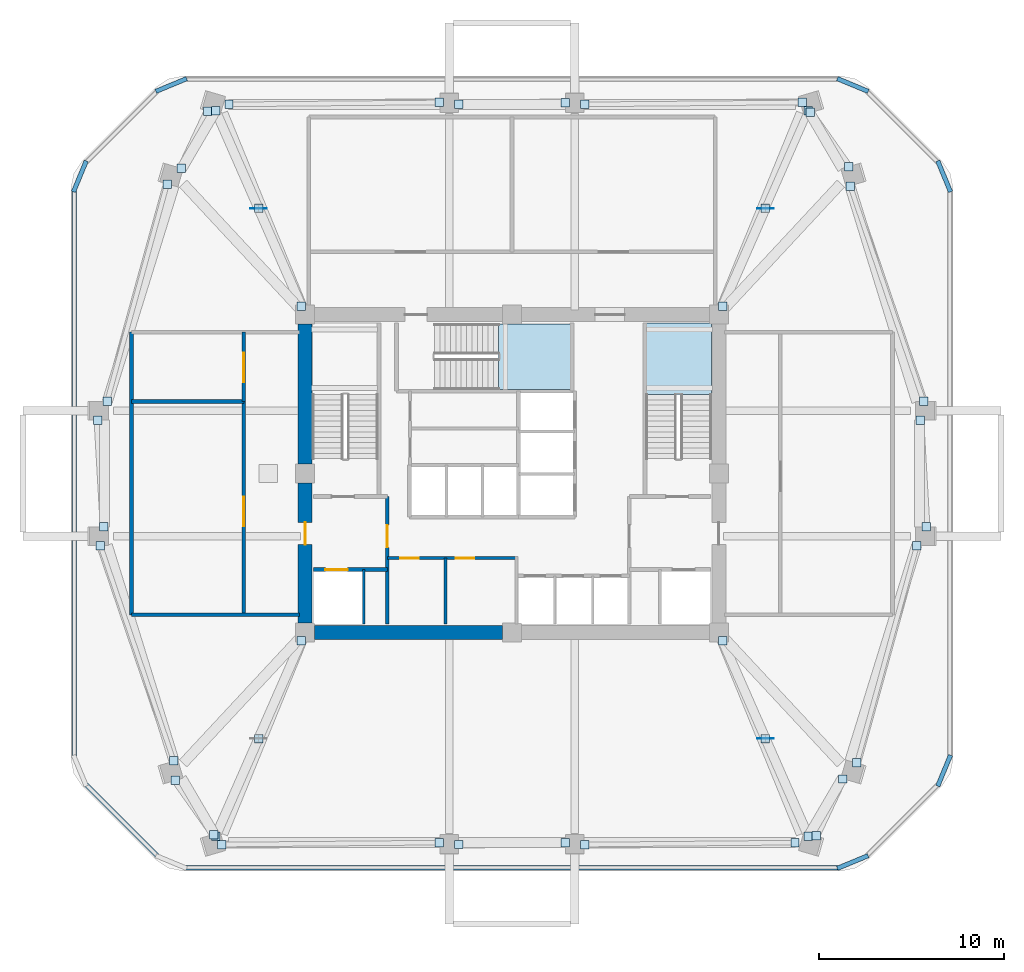
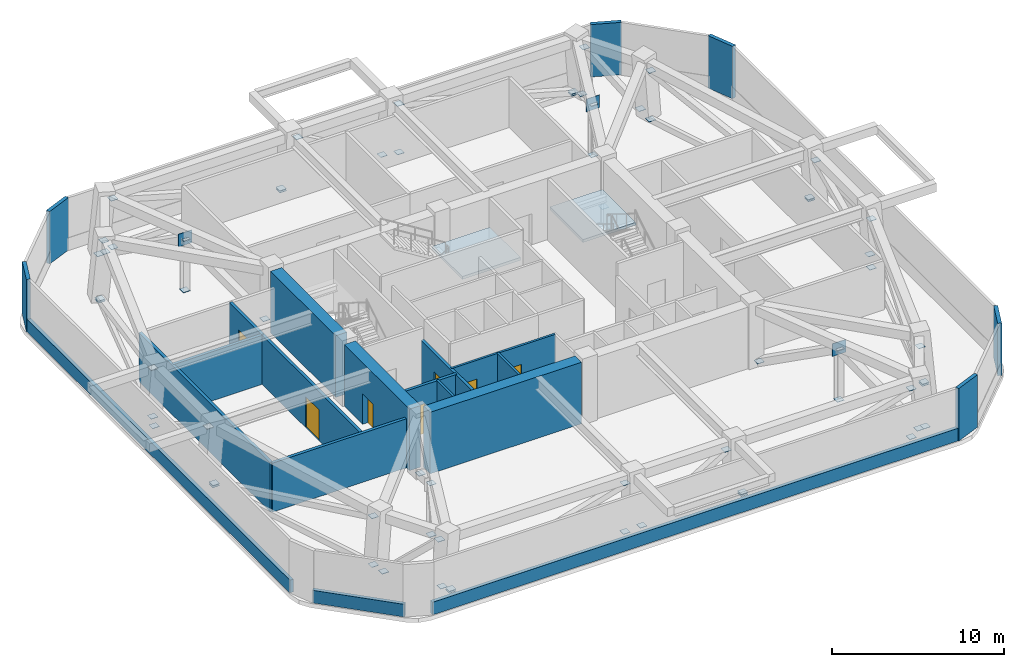
# One storey, part 3 of 8: 73 plates, 16 walls, 7 doors, 2 slabs, 7 openings, 2 elements without a shape of their own.
"""IFC4 building model written with IfcOpenShell, lengths in metres."""

from ifc_helpers import new_model, si_unit, derived_unit, direction, frame, frame_2d, origin, origin_2d, place, context, subcontext, project, spatial, polyline, rectangle, outline, extrude, material, layer, layer_set, type_object, element, fill, aggregate, save


model = new_model("IFC4")

# Units and contexts
model_context = context("Model", 3, precision=1e-05, world=origin(), true_north=direction((0.0, 1.0)))
body_context = subcontext(model_context, "Body", "Model", "MODEL_VIEW")
ifc_project = project(units=[si_unit("LENGTHUNIT", "METRE"), si_unit("AREAUNIT", "SQUARE_METRE"), si_unit("VOLUMEUNIT", "CUBIC_METRE"), si_unit("PLANEANGLEUNIT", "RADIAN"), si_unit("MASSUNIT", "GRAM", prefix="KILO"), derived_unit("THERMALTRANSMITTANCEUNIT", [(si_unit("POWERUNIT", "WATT"), 1), (si_unit("LENGTHUNIT", "METRE"), -2), (si_unit("THERMODYNAMICTEMPERATUREUNIT", "KELVIN"), -1)])], contexts=[model_context])

# Site, building, storey
site_placement = place(None, origin())
site = spatial("IfcSite", under=ifc_project, at=site_placement, CompositionType="ELEMENT")
building_placement = place(site_placement, origin())
building = spatial("IfcBuilding", under=site, at=building_placement, Name="Koralith Skygarden Medical Center", CompositionType="ELEMENT")
storey_placement = place(building_placement, frame((0.0, 0.0, 124.3798828125)))
storey = spatial("IfcBuildingStorey", under=building, at=storey_placement, Name="L32", CompositionType="ELEMENT", Elevation=124.3798828125)

# Stair, slab
ifc_material_1 = material(Name="Concrete C45/55", Category="concrete")
stair_type = type_object("IfcStairType", Name="Core Exit Dogleg Concrete Stair", PredefinedType="HALF_TURN_STAIR", material=ifc_material_1)
stair_1_placement = place(storey_placement, origin())
stair_1 = element("IfcStair", 1, at=stair_1_placement, inside=storey, type_object=stair_type, Name="L32 Smokeproof Exit Stair ST2", PredefinedType="HALF_TURN_STAIR")
ifc_layer_1 = layer(ifc_material_1, 0.199951171875)
ifc_layer_set_1 = layer_set([ifc_layer_1], Name="Concrete C45/55")
slab_type = type_object("IfcSlabType", Name="Core Exit Concrete Stair Landing 200", PredefinedType="LANDING", material=ifc_layer_set_1)
slab_1_placement = place(storey_placement, frame((0.0, 0.0, 2.14013671875)))
slab_1 = element("IfcSlab", 2, at=slab_1_placement, type_object=slab_type, Name="ST2 landing 1", PredefinedType="LANDING", context=body_context, shape_type="SweptSolid", body=[
    extrude(outline(polyline([(47.800048828125, 30.179931640625), (47.800048828125, 34.050048828125), (44.25, 34.050048828125), (44.25, 30.179931640625), (47.800048828125, 30.179931640625)])), origin(), (0.0, 0.0, 1.0), 0.199951171875),
])
aggregate(stair_1, [slab_1])

stair_2_placement = place(storey_placement, origin())
stair_2 = element("IfcStair", 3, at=stair_2_placement, inside=storey, type_object=stair_type, Name="L32 Smokeproof Exit Stair ST3", PredefinedType="HALF_TURN_STAIR")
slab_2_placement = place(storey_placement, frame((0.0, 0.0, 2.14013671875)))
slab_2 = element("IfcSlab", 4, at=slab_2_placement, type_object=slab_type, Name="ST3 landing 1", PredefinedType="LANDING", context=body_context, shape_type="SweptSolid", body=[
    extrude(outline(polyline([(36.280029296875, 30.449951171875), (40.199951171875, 30.449951171875), (40.199951171875, 34.0), (36.280029296875, 34.0), (36.280029296875, 30.449951171875)])), origin(), (0.0, 0.0, 1.0), 0.199951171875),
])
aggregate(stair_2, [slab_2])

# Plates
ifc_material_2 = material(Name="Steel ASTM A572 Grade 50", Category="steel")
ifc_layer_2 = layer(ifc_material_2, 0.02490234375)
ifc_layer_set_2 = layer_set([ifc_layer_2], Name="Steel ASTM A572 Grade 50")
plate_type_1 = type_object("IfcPlateType", Name="Hollow Section End Cap Plate 25", PredefinedType="SHEET", material=ifc_layer_set_2)
for number, where, z_axis, x_axis, name in (
    (5, (25.594970703125, 16.8330078125, 0.337646484375), (0.0, 0.0, 1.0), (1.0, 0.0, 0.0), "L32 Outrigger End Cap 01A"),
    (6, (23.277099609375, 11.552001953125, 3.667724609375), (0.0, 0.0, 1.0), (1.0, 0.0, 0.0), "L32 Outrigger Apex Cap 01M"),
    (7, (20.9599609375, 6.27197265625, 0.337646484375), (0.0, 0.0, 1.0), (1.0, 0.0, 0.0), "L32 Outrigger End Cap 01B"),
    (8, (23.277099609375, 11.552001953125, 0.007568359375), (0.0, 0.0, 1.0), (1.0, 0.0, 0.0), "L32 Outrigger Post Base Plate 01"),
    (9, (25.594970703125, 34.967041015625, 0.337646484375), (0.0, 0.0, 1.0), (1.0, 0.0, 0.0), "L32 Outrigger End Cap 02A"),
    (10, (23.277099609375, 40.248046875, 3.667724609375), (0.0, 0.0, 1.0), (1.0, 0.0, 0.0), "L32 Outrigger Apex Cap 02M"),
    (11, (20.9599609375, 45.528076171875, 0.337646484375), (0.0, 0.0, 1.0), (1.0, 0.0, 0.0), "L32 Outrigger End Cap 02B"),
    (12, (23.277099609375, 40.248046875, 0.007568359375), (0.0, 0.0, 1.0), (1.0, 0.0, 0.0), "L32 Outrigger Post Base Plate 02"),
    (13, (48.405029296875, 16.8330078125, 0.337646484375), (0.0, 0.0, 1.0), (1.0, 0.0, 0.0), "L32 Outrigger End Cap 03A"),
    (14, (50.721923828125, 11.552001953125, 3.667724609375), (0.0, 0.0, 1.0), (1.0, 0.0, 0.0), "L32 Outrigger Apex Cap 03M"),
    (15, (53.0400390625, 6.27197265625, 0.337646484375), (0.0, 0.0, 1.0), (1.0, 0.0, 0.0), "L32 Outrigger End Cap 03B"),
    (16, (50.721923828125, 11.552001953125, 0.007568359375), (0.0, 0.0, 1.0), (1.0, 0.0, 0.0), "L32 Outrigger Post Base Plate 03"),
    (17, (48.405029296875, 34.967041015625, 0.337646484375), (0.0, 0.0, 1.0), (1.0, 0.0, 0.0), "L32 Outrigger End Cap 04A"),
    (18, (50.721923828125, 40.248046875, 3.667724609375), (0.0, 0.0, 1.0), (1.0, 0.0, 0.0), "L32 Outrigger Apex Cap 04M"),
    (19, (53.0400390625, 45.528076171875, 0.337646484375), (0.0, 0.0, 1.0), (1.0, 0.0, 0.0), "L32 Outrigger End Cap 04B"),
    (20, (50.721923828125, 40.248046875, 0.007568359375), (0.0, 0.0, 1.0), (1.0, 0.0, 0.0), "L32 Outrigger Post Base Plate 04"),
    (21, (14.714111328125, 21.998046875, 0.337646484375), (0.0, 0.0, 1.0), (1.0, 0.0, 0.0), "L32 Belt Brace Cap 01A"),
    (22, (18.68505859375, 10.342041015625, 3.667724609375), (0.0, 0.0, 1.0), (1.0, 0.0, 0.0), "L32 Belt Brace Cap 01B"),
    (23, (14.714111328125, 21.998046875, 0.207763671875), (0.0, 0.0, 1.0), (1.0, 0.0, 0.0), "L32 Belt Chord Cap 01A"),
    (24, (18.68505859375, 10.342041015625, 0.207763671875), (0.0, 0.0, 1.0), (1.0, 0.0, 0.0), "L32 Belt Chord Cap 01B"),
    (25, (18.76904296875, 9.2919921875, 0.337646484375), (0.0, 0.0, 1.0), (1.0, 0.0, 0.0), "L32 Belt Brace Cap 02A"),
    (26, (20.842041015625, 6.35302734375, 3.667724609375), (0.0, 0.0, 1.0), (1.0, 0.0, 0.0), "L32 Belt Brace Cap 02B"),
    (27, (21.284912109375, 5.81005859375, 0.337646484375), (0.0, 0.0, 1.0), (1.0, 0.0, 0.0), "L32 Belt Brace Cap 03A"),
    (28, (33.070068359375, 5.9150390625, 3.667724609375), (0.0, 0.0, 1.0), (1.0, 0.0, 0.0), "L32 Belt Brace Cap 03B"),
    (29, (21.284912109375, 5.81005859375, 0.207763671875), (0.0, 0.0, 1.0), (1.0, 0.0, 0.0), "L32 Belt Chord Cap 03A"),
    (30, (33.070068359375, 5.9150390625, 0.207763671875), (0.0, 0.0, 1.0), (1.0, 0.0, 0.0), "L32 Belt Chord Cap 03B"),
    (31, (34.1298828125, 5.81396484375, 0.337646484375), (0.0, 0.0, 1.0), (1.0, 0.0, 0.0), "L32 Belt Brace Cap 04A"),
    (32, (39.8701171875, 5.910888671875, 3.667724609375), (0.0, 0.0, 1.0), (1.0, 0.0, 0.0), "L32 Belt Brace Cap 04B"),
    (33, (40.929931640625, 5.81005859375, 0.337646484375), (0.0, 0.0, 1.0), (1.0, 0.0, 0.0), "L32 Belt Brace Cap 05A"),
    (34, (52.322021484375, 5.9150390625, 3.667724609375), (0.0, 0.0, 1.0), (1.0, 0.0, 0.0), "L32 Belt Brace Cap 05B"),
    (35, (40.929931640625, 5.81005859375, 0.207763671875), (0.0, 0.0, 1.0), (1.0, 0.0, 0.0), "L32 Belt Chord Cap 05A"),
    (36, (52.322021484375, 5.9150390625, 0.207763671875), (0.0, 0.0, 1.0), (1.0, 0.0, 0.0), "L32 Belt Chord Cap 05B"),
    (37, (53.470947265625, 6.284912109375, 0.337646484375), (0.0, 0.0, 1.0), (1.0, 0.0, 0.0), "L32 Belt Brace Cap 06A"),
    (38, (54.91796875, 9.360107421875, 3.667724609375), (0.0, 0.0, 1.0), (1.0, 0.0, 0.0), "L32 Belt Brace Cap 06B"),
    (39, (55.677978515625, 10.236083984375, 0.337646484375), (0.0, 0.0, 1.0), (1.0, 0.0, 0.0), "L32 Belt Brace Cap 07A"),
    (40, (58.923095703125, 21.989013671875, 3.667724609375), (0.0, 0.0, 1.0), (1.0, 0.0, 0.0), "L32 Belt Brace Cap 07B"),
    (41, (55.677978515625, 10.236083984375, 0.207763671875), (0.0, 0.0, 1.0), (1.0, 0.0, 0.0), "L32 Belt Chord Cap 07A"),
    (42, (58.923095703125, 21.989013671875, 0.207763671875), (0.0, 0.0, 1.0), (1.0, 0.0, 0.0), "L32 Belt Chord Cap 07B"),
    (43, (59.426025390625, 23.029052734375, 0.337646484375), (0.0, 0.0, 1.0), (1.0, 0.0, 0.0), "L32 Belt Brace Cap 08A"),
    (44, (59.094970703125, 28.77099609375, 3.667724609375), (0.0, 0.0, 1.0), (1.0, 0.0, 0.0), "L32 Belt Brace Cap 08B"),
    (45, (59.285888671875, 29.802001953125, 0.337646484375), (0.0, 0.0, 1.0), (1.0, 0.0, 0.0), "L32 Belt Brace Cap 09A"),
    (46, (55.31494140625, 41.4580078125, 3.667724609375), (0.0, 0.0, 1.0), (1.0, 0.0, 0.0), "L32 Belt Brace Cap 09B"),
    (47, (59.285888671875, 29.802001953125, 0.207763671875), (0.0, 0.0, 1.0), (1.0, 0.0, 0.0), "L32 Belt Chord Cap 09A"),
    (48, (55.31494140625, 41.4580078125, 0.207763671875), (0.0, 0.0, 1.0), (1.0, 0.0, 0.0), "L32 Belt Chord Cap 09B"),
    (49, (55.23095703125, 42.508056640625, 0.337646484375), (0.0, 0.0, 1.0), (1.0, 0.0, 0.0), "L32 Belt Brace Cap 10A"),
    (50, (53.157958984375, 45.447021484375, 3.667724609375), (0.0, 0.0, 1.0), (1.0, 0.0, 0.0), "L32 Belt Brace Cap 10B"),
    (51, (52.715087890625, 45.989990234375, 0.337646484375), (0.0, 0.0, 1.0), (1.0, 0.0, 0.0), "L32 Belt Brace Cap 11A"),
    (52, (40.929931640625, 45.885009765625, 3.667724609375), (0.0, 0.0, 1.0), (1.0, 0.0, 0.0), "L32 Belt Brace Cap 11B"),
    (53, (52.715087890625, 45.989990234375, 0.207763671875), (0.0, 0.0, 1.0), (1.0, 0.0, 0.0), "L32 Belt Chord Cap 11A"),
    (54, (40.929931640625, 45.885009765625, 0.207763671875), (0.0, 0.0, 1.0), (1.0, 0.0, 0.0), "L32 Belt Chord Cap 11B"),
    (55, (39.8701171875, 45.986083984375, 0.337646484375), (0.0, 0.0, 1.0), (1.0, 0.0, 0.0), "L32 Belt Brace Cap 12A"),
    (56, (34.1298828125, 45.888916015625, 3.667724609375), (0.0, 0.0, 1.0), (1.0, 0.0, 0.0), "L32 Belt Brace Cap 12B"),
    (57, (33.070068359375, 45.989990234375, 0.337646484375), (0.0, 0.0, 1.0), (1.0, 0.0, 0.0), "L32 Belt Brace Cap 13A"),
    (58, (21.677978515625, 45.885009765625, 3.667724609375), (0.0, 0.0, 1.0), (1.0, 0.0, 0.0), "L32 Belt Brace Cap 13B"),
    (59, (33.070068359375, 45.989990234375, 0.207763671875), (0.0, 0.0, 1.0), (1.0, 0.0, 0.0), "L32 Belt Chord Cap 13A"),
    (60, (21.677978515625, 45.885009765625, 0.207763671875), (0.0, 0.0, 1.0), (1.0, 0.0, 0.0), "L32 Belt Chord Cap 13B"),
    (61, (20.529052734375, 45.514892578125, 0.337646484375), (0.0, 0.0, 1.0), (1.0, 0.0, 0.0), "L32 Belt Brace Cap 14A"),
    (62, (19.08203125, 42.43994140625, 3.667724609375), (0.0, 0.0, 1.0), (1.0, 0.0, 0.0), "L32 Belt Brace Cap 14B"),
    (63, (18.322021484375, 41.56396484375, 0.337646484375), (0.0, 0.0, 1.0), (1.0, 0.0, 0.0), "L32 Belt Brace Cap 15A"),
    (64, (15.076904296875, 29.81103515625, 3.667724609375), (0.0, 0.0, 1.0), (1.0, 0.0, 0.0), "L32 Belt Brace Cap 15B"),
    (65, (18.322021484375, 41.56396484375, 0.207763671875), (0.0, 0.0, 1.0), (1.0, 0.0, 0.0), "L32 Belt Chord Cap 15A"),
    (66, (15.076904296875, 29.81103515625, 0.207763671875), (0.0, 0.0, 1.0), (1.0, 0.0, 0.0), "L32 Belt Chord Cap 15B"),
    (67, (14.573974609375, 28.77099609375, 0.337646484375), (0.0, 0.0, 1.0), (1.0, 0.0, 0.0), "L32 Belt Brace Cap 16A"),
    (68, (14.905029296875, 23.029052734375, 3.667724609375), (0.0, 0.0, 1.0), (1.0, 0.0, 0.0), "L32 Belt Brace Cap 16B"),
):
    element("IfcPlate", number, at=place(storey_placement, frame(where, z_axis=z_axis, x_axis=x_axis)), inside=storey, type_object=plate_type_1, Name=name, PredefinedType="SHEET", context=body_context, shape_type="SweptSolid", body=[
        extrude(rectangle(XDim=0.4599609375, YDim=0.4599609375, at=origin_2d()), origin(), (0.0, 0.0, 1.0), 0.02490234375),
    ])
ifc_layer_3 = layer(ifc_material_2, 0.0400390625)
ifc_layer_set_3 = layer_set([ifc_layer_3], Name="Steel ASTM A572 Grade 50")
plate_type_2 = type_object("IfcPlateType", Name="Outrigger Truss Gusset Plate 40", PredefinedType="USERDEFINED", material=ifc_layer_set_3)
for number, where, z_axis, x_axis, name in (
    (69, (23.277099609375, 40.248046875, 3.230224609375), (0.0, 0.0, 1.0), (1.0, 0.0, 0.0), "L32 Outrigger Node Gusset Plate ORG-02"),
    (70, (50.721923828125, 11.552001953125, 3.230224609375), (0.0, 0.0, 1.0), (1.0, 0.0, 0.0), "L32 Outrigger Node Gusset Plate ORG-03"),
    (71, (50.721923828125, 40.248046875, 3.230224609375), (0.0, 0.0, 1.0), (1.0, 0.0, 0.0), "L32 Outrigger Node Gusset Plate ORG-04"),
):
    element("IfcPlate", number, at=place(storey_placement, frame(where, z_axis=z_axis, x_axis=x_axis)), inside=storey, type_object=plate_type_2, Name=name, ObjectType="GUSSET_PLATE", PredefinedType="USERDEFINED", context=body_context, shape_type="SweptSolid", body=[
        extrude(rectangle(XDim=0.89990234375, YDim=0.0400390625, at=origin_2d()), origin(), (0.0, 0.0, 1.0), 0.89990234375),
    ])
ifc_material_3 = material(Name="Warm Oolitic Limestone Cladding", Category="masonry")
ifc_layer_4 = layer(ifc_material_3, 0.239990234375)
ifc_layer_set_4 = layer_set([ifc_layer_4], Name="Warm Oolitic Limestone Cladding")
plate_type_3 = type_object("IfcPlateType", Name="Rounded-Corner Oolitic Limestone Cladding Panel 240", PredefinedType="USERDEFINED", material=ifc_layer_set_4)
for number, where, z_axis, x_axis, name in (
    (72, (55.447998046875, 4.865966796875, 0.000244140625), (0.0, 0.0, 1.0), (0.92388487569, 0.382670532536, 0.0), "L32 Rounded-Corner Limestone Pier 1"),
    (73, (60.39697265625, 9.81396484375, 0.000244140625), (0.0, 0.0, 1.0), (0.382670532536, 0.92388487569, 0.0), "L32 Rounded-Corner Limestone Pier 2"),
    (74, (60.39697265625, 41.986083984375, 0.000244140625), (0.0, 0.0, 1.0), (-0.382670532536, 0.92388487569, 0.0), "L32 Rounded-Corner Limestone Pier 3"),
    (75, (55.447998046875, 46.93408203125, 0.000244140625), (0.0, 0.0, 1.0), (-0.92388487569, 0.382670532536, 0.0), "L32 Rounded-Corner Limestone Pier 4"),
    (76, (18.552978515625, 46.93408203125, 0.000244140625), (0.0, 0.0, 1.0), (-0.92388487569, -0.382670532536, 0.0), "L32 Rounded-Corner Limestone Pier 5"),
    (77, (13.60400390625, 41.986083984375, 0.000244140625), (0.0, 0.0, 1.0), (-0.382670532536, -0.92388487569, 0.0), "L32 Rounded-Corner Limestone Pier 6"),
):
    element("IfcPlate", number, at=place(storey_placement, frame(where, z_axis=z_axis, x_axis=x_axis)), inside=storey, type_object=plate_type_3, Name=name, ObjectType="LIMESTONE CLADDING", PredefinedType="USERDEFINED", context=body_context, shape_type="SweptSolid", body=[
        extrude(rectangle(XDim=1.81103515625, YDim=0.239990234375, at=origin_2d()), origin(), (0.0, 0.0, 1.0), 3.72998046875),
    ])

# Wall, openings, doors
ifc_material_4 = material(Name="Gypsum Board Partition")
ifc_layer_5 = layer(ifc_material_4, 0.14990234375)
ifc_layer_set_5 = layer_set([ifc_layer_5], Name="Gypsum Board Partition")
wall_type_1 = type_object("IfcWallType", Name="Clinical Acoustic Partition 150", PredefinedType="PARTITIONING", material=ifc_layer_set_5)
wall_1_placement = place(storey_placement, frame((30.25, 21.320068359375, 0.0), z_axis=(0.0, 0.0, 1.0), x_axis=(1.0, 0.0, 0.0)))
wall_1 = element("IfcWall", 78, at=wall_1_placement, inside=storey, type_object=wall_type_1, Name="L32 Clinical Acoustic Partition 150 W-CORE-L32-FREED-LR-N", PredefinedType="PARTITIONING", context=body_context, shape_type="SweptSolid", body=[
    extrude(rectangle(XDim=7.0, YDim=0.14990234375, at=frame_2d((3.5, 0.0))), origin(), (0.0, 0.0, 1.0), 3.490234375),
])
opening_1_placement = place(wall_1_placement, frame((0.699951171875, 0.0, 0.0)))
opening_1 = element("IfcOpeningElement", 79, at=opening_1_placement, cuts=wall_1, Name="Opening D-SUP", PredefinedType="OPENING", context=body_context, shape_type="SweptSolid", body=[
    extrude(rectangle(XDim=1.0, YDim=2.14990234375, at=frame_2d((0.5, 1.074951171875))), frame((0.0, 0.0849609375, 0.0), z_axis=(0.0, -1.0, 0.0), x_axis=(1.0, 0.0, 0.0)), (0.0, 0.0, 1.0), 0.169921875),
])
opening_2_placement = place(wall_1_placement, frame((3.699951171875, 0.0, 0.0)))
opening_2 = element("IfcOpeningElement", 80, at=opening_2_placement, cuts=wall_1, Name="Opening D-SUP", PredefinedType="OPENING", context=body_context, shape_type="SweptSolid", body=[
    extrude(rectangle(XDim=1.0, YDim=2.14990234375, at=frame_2d((0.5, 1.074951171875))), frame((0.0, 0.0849609375, 0.0), z_axis=(0.0, -1.0, 0.0), x_axis=(1.0, 0.0, 0.0)), (0.0, 0.0, 1.0), 0.169921875),
])
ifc_material_5 = material(Name="Aluminium 6063-T6", Category="aluminium")
door_type_1 = type_object("IfcDoorType", Name="Clinical Support Door D-SUP 1000", OperationType="NOTDEFINED", PredefinedType="DOOR", material=ifc_material_5)
door_1_placement = place(opening_1_placement, frame((1.0, 0.0, 0.0), z_axis=(0.0, 0.0, 1.0), x_axis=(-1.0, 0.0, 0.0)))
door_1 = element("IfcDoor", 81, at=door_1_placement, inside=storey, type_object=door_type_1, Name="L32 Medication Preparation Door", OperationType="SINGLE_SWING_LEFT", OverallHeight=2.14990234375, OverallWidth=1.0, PredefinedType="DOOR", context=body_context, shape_type="SweptSolid", body=[
    extrude(rectangle(XDim=1.0, YDim=2.14990234375, at=frame_2d((0.5, 1.074951171875))), frame((0.0, 0.02490234375, 0.0), z_axis=(0.0, -1.0, 0.0), x_axis=(1.0, 0.0, 0.0)), (0.0, 0.0, 1.0), 0.050048828125),
])
fill(opening_1, door_1)
door_2_placement = place(opening_2_placement, frame((1.0, 0.0, 0.0), z_axis=(0.0, 0.0, 1.0), x_axis=(-1.0, 0.0, 0.0)))
door_2 = element("IfcDoor", 82, at=door_2_placement, inside=storey, type_object=door_type_1, Name="L32 Telemetry Room Door", OperationType="SINGLE_SWING_RIGHT", OverallHeight=2.14990234375, OverallWidth=1.0, PredefinedType="DOOR", context=body_context, shape_type="SweptSolid", body=[
    extrude(rectangle(XDim=1.0, YDim=2.14990234375, at=frame_2d((0.5, 1.074951171875))), frame((0.0, 0.02490234375, 0.0), z_axis=(0.0, -1.0, 0.0), x_axis=(1.0, 0.0, 0.0)), (0.0, 0.0, 1.0), 0.050048828125),
])
fill(opening_2, door_2)

# Wall
wall_2_placement = place(storey_placement, frame((33.39990234375, 17.75, 0.0), z_axis=(0.0, 0.0, 1.0), x_axis=(0.0, 1.0, 0.0)))
element("IfcWall", 83, at=wall_2_placement, inside=storey, type_object=wall_type_1, Name="L32 Clinical Acoustic Partition 150 W-CORE-L32-FREED-LR-M", PredefinedType="PARTITIONING", context=body_context, shape_type="SweptSolid", body=[
    extrude(rectangle(XDim=3.570068359375, YDim=0.14990234375, at=frame_2d((1.78515625, 0.0))), origin(), (0.0, 0.0, 1.0), 3.490234375),
])

# Wall, opening, door
ifc_layer_6 = layer(ifc_material_4, 0.199951171875)
ifc_layer_set_6 = layer_set([ifc_layer_6], Name="Gypsum Board Partition")
wall_type_2 = type_object("IfcWallType", Name="Fire Shaft Wall 200", PredefinedType="SOLIDWALL", material=ifc_layer_set_6)
wall_3_placement = place(storey_placement, frame((26.25, 20.699951171875, 0.0), z_axis=(0.0, 0.0, 1.0), x_axis=(1.0, 0.0, 0.0)))
wall_3 = element("IfcWall", 84, at=wall_3_placement, inside=storey, type_object=wall_type_2, Name="L32 Fire Shaft Wall 200 W-CORE-L32-FF1-N", PredefinedType="SOLIDWALL", context=body_context, shape_type="SweptSolid", body=[
    extrude(rectangle(XDim=4.0, YDim=0.199951171875, at=frame_2d((2.0, 0.0))), origin(), (0.0, 0.0, 1.0), 3.490234375),
])
opening_3_placement = place(wall_3_placement, frame((0.64990234375, 0.0, 0.0)))
opening_3 = element("IfcOpeningElement", 85, at=opening_3_placement, cuts=wall_3, Name="Opening LD-FF", PredefinedType="OPENING", context=body_context, shape_type="SweptSolid", body=[
    extrude(rectangle(XDim=1.199951171875, YDim=2.14990234375, at=frame_2d((0.60009765625, 1.074951171875))), frame((0.0, 0.10986328125, 0.0), z_axis=(0.0, -1.0, 0.0), x_axis=(1.0, 0.0, 0.0)), (0.0, 0.0, 1.0), 0.219970703125),
])
ifc_material_6 = material(Name="Steel ASTM A500 Grade C", Category="steel")
door_type_2 = type_object("IfcDoorType", Name="Fire Lift Sliding Landing Door LD-FF 1200", OperationType="NOTDEFINED", PredefinedType="DOOR", material=ifc_material_6)
door_3_placement = place(opening_3_placement, origin())
door_3 = element("IfcDoor", 86, at=door_3_placement, inside=storey, type_object=door_type_2, Name="L32 Fire Service Elevator FF1 Landing Door", OperationType="SLIDING_TO_LEFT", OverallHeight=2.14990234375, OverallWidth=1.199951171875, PredefinedType="DOOR", context=body_context, shape_type="SweptSolid", body=[
    extrude(rectangle(XDim=1.199951171875, YDim=2.14990234375, at=frame_2d((0.60009765625, 1.074951171875))), frame((0.0, 0.02490234375, 0.0), z_axis=(0.0, -1.0, 0.0), x_axis=(1.0, 0.0, 0.0)), (0.0, 0.0, 1.0), 0.050048828125),
])
fill(opening_3, door_3)

wall_4_placement = place(storey_placement, frame((30.25, 17.75, 0.0), z_axis=(0.0, 0.0, 1.0), x_axis=(0.0, 1.0, 0.0)))
wall_4 = element("IfcWall", 87, at=wall_4_placement, inside=storey, type_object=wall_type_2, Name="L32 Fire Shaft Wall 200 W-CORE-L32-FSAEW-E", PredefinedType="SOLIDWALL", context=body_context, shape_type="SweptSolid", body=[
    extrude(rectangle(XDim=6.89990234375, YDim=0.199951171875, at=frame_2d((3.449951171875, 0.0))), origin(), (0.0, 0.0, 1.0), 3.490234375),
])
opening_4_placement = place(wall_4_placement, frame((4.14990234375, 0.0, 0.0)))
opening_4 = element("IfcOpeningElement", 88, at=opening_4_placement, cuts=wall_4, Name="Opening D-ST60", PredefinedType="OPENING", context=body_context, shape_type="SweptSolid", body=[
    extrude(rectangle(XDim=1.199951171875, YDim=2.14990234375, at=frame_2d((0.60009765625, 1.074951171875))), frame((0.0, 0.10986328125, 0.0), z_axis=(0.0, -1.0, 0.0), x_axis=(1.0, 0.0, 0.0)), (0.0, 0.0, 1.0), 0.219970703125),
])
door_type_3 = type_object("IfcDoorType", Name="Smokeproof Stair Fire Door FD60S 1200", OperationType="NOTDEFINED", PredefinedType="DOOR", material=ifc_material_6)
door_4_placement = place(opening_4_placement, origin())
door_4 = element("IfcDoor", 89, at=door_4_placement, inside=storey, type_object=door_type_3, Name="L32 West Firefighting Lobby Inner Fire Door", OperationType="SINGLE_SWING_LEFT", OverallHeight=2.14990234375, OverallWidth=1.199951171875, PredefinedType="DOOR", context=body_context, shape_type="SweptSolid", body=[
    extrude(rectangle(XDim=1.199951171875, YDim=2.14990234375, at=frame_2d((0.60009765625, 1.074951171875))), frame((0.0, 0.02490234375, 0.0), z_axis=(0.0, -1.0, 0.0), x_axis=(1.0, 0.0, 0.0)), (0.0, 0.0, 1.0), 0.050048828125),
])
fill(opening_4, door_4)

# Walls
wall_5_placement = place(storey_placement, frame((16.39990234375, 18.25, 0.0), z_axis=(0.0, 0.0, 1.0), x_axis=(1.0, 0.0, 0.0)))
element("IfcWall", 90, at=wall_5_placement, inside=storey, type_object=wall_type_2, Name="L32 Fire Shaft Wall 200 W-PL-L32-WC-S", PredefinedType="SOLIDWALL", context=body_context, shape_type="SweptSolid", body=[
    extrude(rectangle(XDim=9.10009765625, YDim=0.199951171875, at=frame_2d((4.550048828125, 0.0))), origin(), (0.0, 0.0, 1.0), 3.490234375),
])
wall_6_placement = place(storey_placement, frame((16.39990234375, 18.25, 0.0), z_axis=(0.0, 0.0, 1.0), x_axis=(0.0, 1.0, 0.0)))
element("IfcWall", 91, at=wall_6_placement, inside=storey, type_object=wall_type_2, Name="L32 Fire Shaft Wall 200 W-PL-L32-WP-W", PredefinedType="SOLIDWALL", context=body_context, shape_type="SweptSolid", body=[
    extrude(rectangle(XDim=15.300048828125, YDim=0.199951171875, at=frame_2d((7.64990234375, 0.0))), origin(), (0.0, 0.0, 1.0), 3.490234375),
])
wall_7_placement = place(storey_placement, frame((16.39990234375, 29.800048828125, 0.0), z_axis=(0.0, 0.0, 1.0), x_axis=(1.0, 0.0, 0.0)))
element("IfcWall", 92, at=wall_7_placement, inside=storey, type_object=wall_type_2, Name="L32 Fire Shaft Wall 200 W-PL-L32-WP-M", PredefinedType="SOLIDWALL", context=body_context, shape_type="SweptSolid", body=[
    extrude(rectangle(XDim=6.080078125, YDim=0.199951171875, at=frame_2d((3.0400390625, 0.0))), origin(), (0.0, 0.0, 1.0), 3.490234375),
])

# Wall, opening, door
wall_8_placement = place(storey_placement, frame((22.47998046875, 18.25, 0.0), z_axis=(0.0, 0.0, 1.0), x_axis=(0.0, 1.0, 0.0)))
wall_8 = element("IfcWall", 93, at=wall_8_placement, inside=storey, type_object=wall_type_2, Name="L32 Fire Shaft Wall 200 W-PL-L32-WC-W1", PredefinedType="SOLIDWALL", context=body_context, shape_type="SweptSolid", body=[
    extrude(rectangle(XDim=11.550048828125, YDim=0.199951171875, at=frame_2d((5.77490234375, 0.0))), origin(), (0.0, 0.0, 1.0), 3.490234375),
])
opening_5_placement = place(wall_8_placement, frame((4.800048828125, 0.0, 0.0)))
opening_5 = element("IfcOpeningElement", 94, at=opening_5_placement, cuts=wall_8, Name="Opening D-DBL", PredefinedType="OPENING", context=body_context, shape_type="SweptSolid", body=[
    extrude(rectangle(XDim=1.60009765625, YDim=2.199951171875, at=frame_2d((0.800048828125, 1.10009765625))), frame((0.0, 0.10986328125, 0.0), z_axis=(0.0, -1.0, 0.0), x_axis=(1.0, 0.0, 0.0)), (0.0, 0.0, 1.0), 0.219970703125),
])
door_type_4 = type_object("IfcDoorType", Name="Double Clinical Suite Door D-DBL 1600", OperationType="NOTDEFINED", PredefinedType="DOOR", material=ifc_material_5)
door_5_placement = place(opening_5_placement, frame((1.60009765625, 0.0, 0.0), z_axis=(0.0, 0.0, 1.0), x_axis=(-1.0, 0.0, 0.0)))
door_5 = element("IfcDoor", 95, at=door_5_placement, inside=storey, type_object=door_type_4, Name="L32 West Pressurized Smoke Refuge Area Fire Door", OperationType="DOUBLE_DOOR_SINGLE_SWING", OverallHeight=2.199951171875, OverallWidth=1.60009765625, PredefinedType="DOOR", context=body_context, shape_type="SweptSolid", body=[
    extrude(rectangle(XDim=1.60009765625, YDim=2.199951171875, at=frame_2d((0.800048828125, 1.10009765625))), frame((0.0, 0.02490234375, 0.0), z_axis=(0.0, -1.0, 0.0), x_axis=(1.0, 0.0, 0.0)), (0.0, 0.0, 1.0), 0.050048828125),
])
fill(opening_5, door_5)

wall_9_placement = place(storey_placement, frame((22.47998046875, 29.800048828125, 0.0), z_axis=(0.0, 0.0, 1.0), x_axis=(0.0, 1.0, 0.0)))
wall_9 = element("IfcWall", 96, at=wall_9_placement, inside=storey, type_object=wall_type_2, Name="L32 Fire Shaft Wall 200 W-PL-L32-WC-W2", PredefinedType="SOLIDWALL", context=body_context, shape_type="SweptSolid", body=[
    extrude(rectangle(XDim=3.75, YDim=0.199951171875, at=frame_2d((1.875, 0.0))), origin(), (0.0, 0.0, 1.0), 3.490234375),
])
opening_6_placement = place(wall_9_placement, frame((1.050048828125, 0.0, 0.0)))
opening_6 = element("IfcOpeningElement", 97, at=opening_6_placement, cuts=wall_9, Name="Opening D-DBL", PredefinedType="OPENING", context=body_context, shape_type="SweptSolid", body=[
    extrude(rectangle(XDim=1.60009765625, YDim=2.199951171875, at=frame_2d((0.800048828125, 1.10009765625))), frame((0.0, 0.10986328125, 0.0), z_axis=(0.0, -1.0, 0.0), x_axis=(1.0, 0.0, 0.0)), (0.0, 0.0, 1.0), 0.219970703125),
])
door_6_placement = place(opening_6_placement, frame((1.60009765625, 0.0, 0.0), z_axis=(0.0, 0.0, 1.0), x_axis=(-1.0, 0.0, 0.0)))
door_6 = element("IfcDoor", 98, at=door_6_placement, inside=storey, type_object=door_type_4, Name="L32 Fire Reserve Water Booster and BMS Plant Room Fire Door", OperationType="DOUBLE_DOOR_SINGLE_SWING", OverallHeight=2.199951171875, OverallWidth=1.60009765625, PredefinedType="DOOR", context=body_context, shape_type="SweptSolid", body=[
    extrude(rectangle(XDim=1.60009765625, YDim=2.199951171875, at=frame_2d((0.800048828125, 1.10009765625))), frame((0.0, 0.02490234375, 0.0), z_axis=(0.0, -1.0, 0.0), x_axis=(1.0, 0.0, 0.0)), (0.0, 0.0, 1.0), 0.050048828125),
])
fill(opening_6, door_6)

# Walls
ifc_layer_7 = layer(ifc_material_3, 0.239990234375)
ifc_layer_set_7 = layer_set([ifc_layer_7], Name="Warm Oolitic Limestone Cladding")
wall_type_3 = type_object("IfcWallType", Name="Limestone Spandrel Sill Backup Wall 240", PredefinedType="SOLIDWALL", material=ifc_layer_set_7)
wall_10_placement = place(storey_placement, frame((19.278076171875, 4.56494140625, 0.0), z_axis=(0.0, 0.0, 1.0), x_axis=(1.0, 0.0, 0.0)))
element("IfcWall", 99, at=wall_10_placement, inside=storey, type_object=wall_type_3, Name="L32 Plant Sill Backup Wall S", PredefinedType="SOLIDWALL", context=body_context, shape_type="SweptSolid", body=[
    extrude(rectangle(XDim=35.44384765625, YDim=0.239990234375, at=frame_2d((17.721923828125, 0.0))), origin(), (0.0, 0.0, 1.0), 0.900146484375),
])
wall_11_placement = place(storey_placement, frame((13.302978515625, 41.260009765625, 0.0), z_axis=(0.0, 0.0, 1.0), x_axis=(0.0, -1.0, 0.0)))
element("IfcWall", 100, at=wall_11_placement, inside=storey, type_object=wall_type_3, Name="L32 Plant Sill Backup Wall W", PredefinedType="SOLIDWALL", context=body_context, shape_type="SweptSolid", body=[
    extrude(rectangle(XDim=30.719970703125, YDim=0.239990234375, at=frame_2d((15.35986328125, 0.0))), origin(), (0.0, 0.0, 1.0), 0.900146484375),
])
wall_12_placement = place(storey_placement, frame((13.904052734375, 9.089111328125, 0.0), z_axis=(0.0, 0.0, 1.0), x_axis=(0.707084777957, -0.707128783731, 0.0)))
element("IfcWall", 101, at=wall_12_placement, inside=storey, type_object=wall_type_3, Name="L32 Plant Sill Backup Wall SW", PredefinedType="SOLIDWALL", context=body_context, shape_type="SweptSolid", body=[
    extrude(rectangle(XDim=5.5478515625, YDim=0.239990234375, at=frame_2d((2.77392578125, 0.0))), origin(), (0.0, 0.0, 1.0), 0.900146484375),
])
ifc_material_7 = material(Name="Concrete C70/85", Category="concrete")
ifc_layer_8 = layer(ifc_material_7, 0.75)
ifc_layer_set_8 = layer_set([ifc_layer_8], Name="Concrete C70/85")
wall_type_4 = type_object("IfcWallType", Name="Mid Core Shear Wall 750", PredefinedType="SHEAR", material=ifc_layer_set_8)
wall_13_placement = place(storey_placement, frame((26.304931640625, 17.300048828125, 0.0), z_axis=(0.0, 0.0, 1.0), x_axis=(1.0, 0.0, 0.0)))
element("IfcWall", 102, at=wall_13_placement, inside=storey, type_object=wall_type_4, Name="L32 Core Shear Wall Segment 1", PredefinedType="SHEAR", context=body_context, shape_type="SweptSolid", body=[
    extrude(rectangle(XDim=10.190185546875, YDim=0.75, at=frame_2d((5.09521484375, 0.0))), origin(), (0.0, 0.0, 1.0), 4.380126953125),
])
wall_14_placement = place(storey_placement, frame((25.800048828125, 33.9951171875, 0.0), z_axis=(0.0, 0.0, 1.0), x_axis=(0.0, -1.0, 0.0)))
element("IfcWall", 103, at=wall_14_placement, inside=storey, type_object=wall_type_4, Name="L32 Core Shear Wall Segment 7", PredefinedType="SHEAR", context=body_context, shape_type="SweptSolid", body=[
    extrude(rectangle(XDim=7.590087890625, YDim=0.75, at=frame_2d((3.794921875, 0.0))), origin(), (0.0, 0.0, 1.0), 4.380126953125),
])

# Wall, opening, door
wall_15_placement = place(storey_placement, frame((25.800048828125, 25.39501953125, 0.0), z_axis=(0.0, 0.0, 1.0), x_axis=(0.0, -1.0, 0.0)))
wall_15 = element("IfcWall", 104, at=wall_15_placement, inside=storey, type_object=wall_type_4, Name="L32 Core Shear Wall Segment 8", PredefinedType="SHEAR", context=body_context, shape_type="SweptSolid", body=[
    extrude(rectangle(XDim=7.590087890625, YDim=0.75, at=frame_2d((3.794921875, 0.0))), origin(), (0.0, 0.0, 1.0), 4.380126953125),
])
opening_7_placement = place(wall_15_placement, frame((2.14501953125, 0.0, 0.0)))
opening_7 = element("IfcOpeningElement", 105, at=opening_7_placement, cuts=wall_15, Name="Opening D-ST60", PredefinedType="OPENING", context=body_context, shape_type="SweptSolid", body=[
    extrude(rectangle(XDim=1.199951171875, YDim=2.14990234375, at=frame_2d((0.60009765625, 1.074951171875))), frame((0.0, 0.385009765625, 0.0), z_axis=(0.0, -1.0, 0.0), x_axis=(1.0, 0.0, 0.0)), (0.0, 0.0, 1.0), 0.77001953125),
])
door_7_placement = place(opening_7_placement, frame((1.199951171875, 0.0, 0.0), z_axis=(0.0, 0.0, 1.0), x_axis=(-1.0, 0.0, 0.0)))
door_7 = element("IfcDoor", 106, at=door_7_placement, inside=storey, type_object=door_type_3, Name="L32 West Corridor to Firefighting Lobby Door", OperationType="SINGLE_SWING_LEFT", OverallHeight=2.14990234375, OverallWidth=1.199951171875, PredefinedType="DOOR", context=body_context, shape_type="SweptSolid", body=[
    extrude(rectangle(XDim=1.199951171875, YDim=2.14990234375, at=frame_2d((0.60009765625, 1.074951171875))), frame((0.0, 0.02490234375, 0.0), z_axis=(0.0, -1.0, 0.0), x_axis=(1.0, 0.0, 0.0)), (0.0, 0.0, 1.0), 0.050048828125),
])
fill(opening_7, door_7)

# Wall
ifc_layer_9 = layer(ifc_material_4, 0.14990234375)
ifc_layer_set_9 = layer_set([ifc_layer_9], Name="Gypsum Board Partition")
wall_type_5 = type_object("IfcWallType", Name="Shaft Partition Wall 150", PredefinedType="PARTITIONING", material=ifc_layer_set_9)
wall_16_placement = place(storey_placement, frame((28.969970703125, 17.75, 0.0), z_axis=(0.0, 0.0, 1.0), x_axis=(0.0, 1.0, 0.0)))
element("IfcWall", 107, at=wall_16_placement, inside=storey, type_object=wall_type_5, Name="L32 Shaft Partition Wall 150 W-CORE-L32-RSRW-DIV", PredefinedType="PARTITIONING", context=body_context, shape_type="SweptSolid", body=[
    extrude(rectangle(XDim=2.949951171875, YDim=0.14990234375, at=frame_2d((1.47509765625, 0.0))), origin(), (0.0, 0.0, 1.0), 3.490234375),
])

save(model, "model.ifc")
